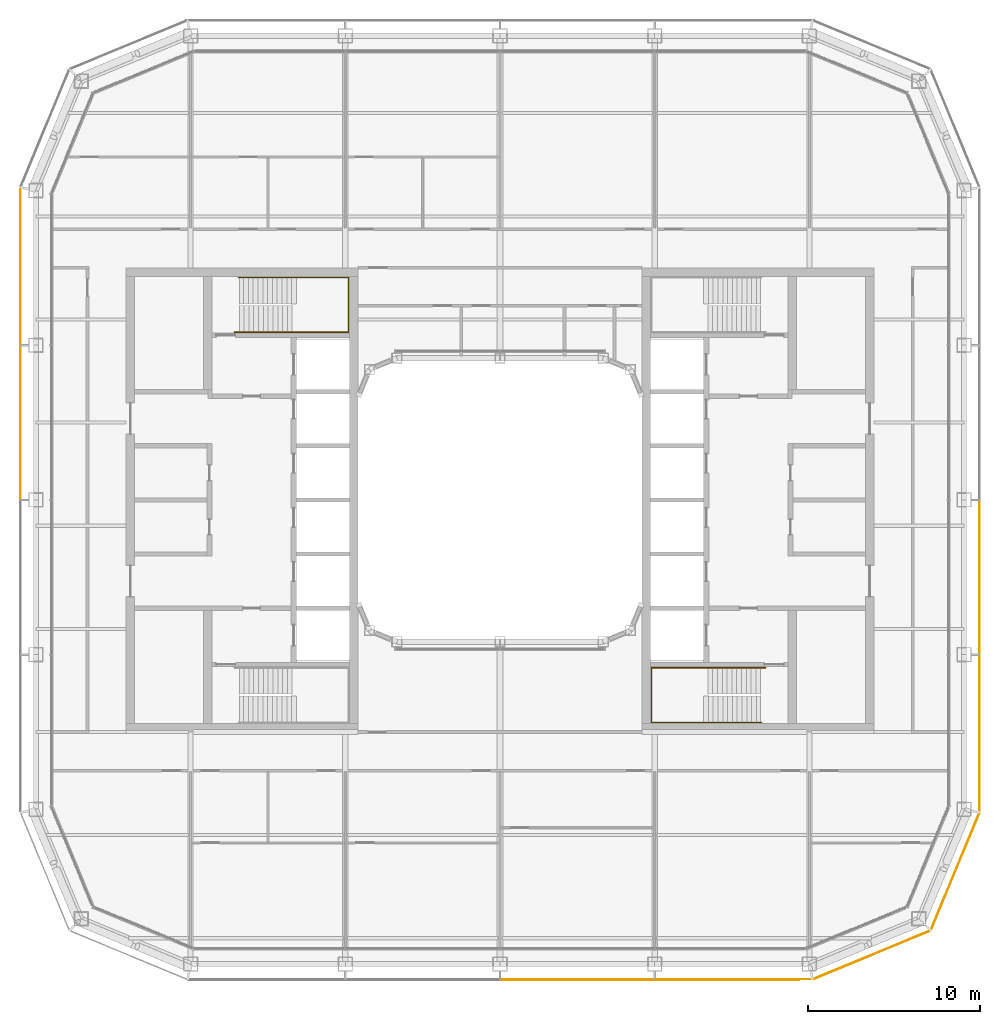
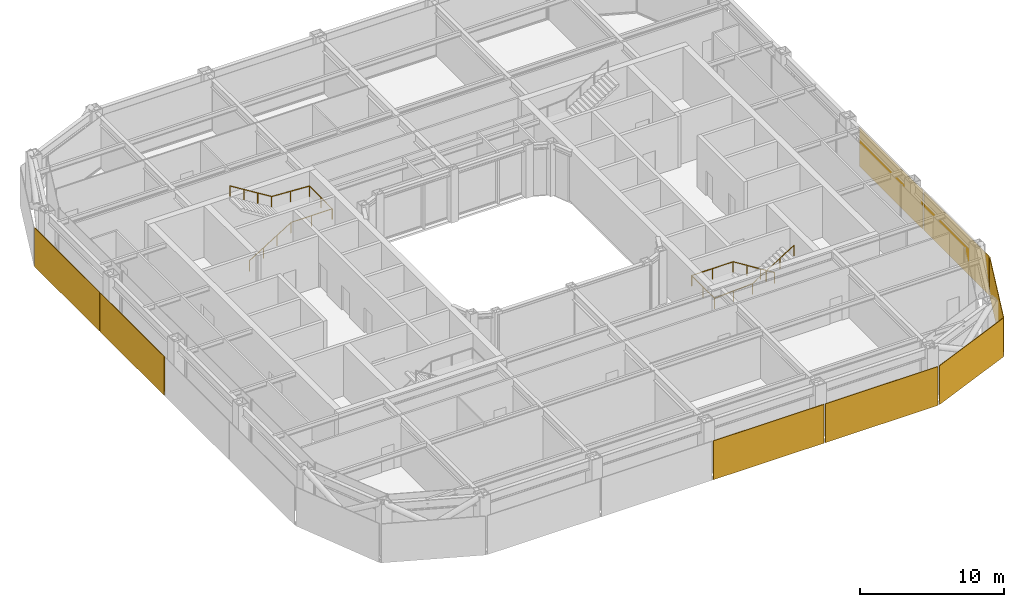
# One storey, part 17 of 19: 8 coverings, 2 railings.
"""IFC4 building model written with IfcOpenShell, lengths in metres."""

from ifc_helpers import new_model, si_unit, direction, frame, origin, origin_2d, place, context, subcontext, project, spatial, rectangle, circle, extrude, material, layer, layer_set, type_object, element, save


model = new_model("IFC4")

# Units and contexts
model_context = context("Model", 3, precision=1e-05, world=origin(), true_north=direction((0.0, 1.0)))
body_context = subcontext(model_context, "Body", "Model", "MODEL_VIEW")
ifc_project = project(units=[si_unit("LENGTHUNIT", "METRE"), si_unit("AREAUNIT", "SQUARE_METRE"), si_unit("VOLUMEUNIT", "CUBIC_METRE"), si_unit("PLANEANGLEUNIT", "RADIAN"), si_unit("MASSUNIT", "GRAM", prefix="KILO")], contexts=[model_context])

# Site, building, storey
site_placement = place(None, origin())
site = spatial("IfcSite", under=ifc_project, at=site_placement, CompositionType="ELEMENT")
building_placement = place(site_placement, origin())
building = spatial("IfcBuilding", under=site, at=building_placement, Name="Siwar Civic Tower", CompositionType="ELEMENT")
storey_placement = place(building_placement, frame((0.0, 0.0, 228.699951171875)))
storey = spatial("IfcBuildingStorey", under=building, at=storey_placement, Name="L49", CompositionType="ELEMENT", Elevation=228.699951171875)

# Railings
ifc_material_1 = material(Name="Stainless steel", Category="steel")
railing_type = type_object("IfcRailingType", Name="CORE-STAIR-HANDRAIL", PredefinedType="HANDRAIL", material=ifc_material_1)
railing_1_placement = place(storey_placement, frame((-15.449951171875, 9.758056640625, 0.173095703125)))
element("IfcRailing", 1, at=railing_1_placement, inside=storey, type_object=railing_type, Name="Stair handrail ST1", PredefinedType="HANDRAIL", context=body_context, shape_type="SweptSolid", body=[
    extrude(circle(Radius=0.02001953125, at=origin_2d()), frame((0.0, 0.0, 0.8798828125), z_axis=(0.847063342986, 0.0, 0.531491950051), x_axis=(0.0, 1.0, 0.0)), (0.0, 0.0, 1.0), 3.90771484375),
    extrude(circle(Radius=0.02001953125, at=origin_2d()), frame((3.31005859375, 0.0, 2.956787109375), z_axis=(1.0, 0.0, 0.0), x_axis=(0.0, 1.0, 0.0)), (0.0, 0.0, 1.0), 3.331787109375),
    extrude(circle(Radius=0.02001953125, at=origin_2d()), frame((6.641845703125, 0.0, 2.956787109375), z_axis=(0.0, 1.0, 0.0), x_axis=(-1.0, 0.0, 0.0)), (0.0, 0.0, 1.0), 3.183837890625),
    extrude(circle(Radius=0.02001953125, at=origin_2d()), frame((6.641845703125, 3.183837890625, 2.956787109375), z_axis=(-0.99837434197, 0.0, 0.056997134106), x_axis=(0.0, -1.0, 0.0)), (0.0, 0.0, 1.0), 3.036865234375),
    extrude(circle(Radius=0.02001953125, at=origin_2d()), frame((3.60986328125, 3.183837890625, 3.1298828125), z_axis=(-0.850606129759, 0.0, 0.525803396734), x_axis=(0.0, -1.0, 0.0)), (0.0, 0.0, 1.0), 3.949951171875),
    extrude(circle(Radius=0.02001953125, at=origin_2d()), origin(), (0.0, 0.0, 1.0), 0.85986328125),
    extrude(circle(Radius=0.02001953125, at=origin_2d()), frame((1.103271484375, 0.0, 0.6923828125)), (0.0, 0.0, 1.0), 0.85986328125),
    extrude(circle(Radius=0.02001953125, at=origin_2d()), frame((2.206787109375, 0.0, 1.384521484375)), (0.0, 0.0, 1.0), 0.85986328125),
    extrude(circle(Radius=0.02001953125, at=origin_2d()), frame((3.31005859375, 0.0, 2.076904296875)), (0.0, 0.0, 1.0), 0.85986328125),
    extrude(circle(Radius=0.02001953125, at=origin_2d()), frame((4.97607421875, 0.0, 2.076904296875)), (0.0, 0.0, 1.0), 0.85986328125),
    extrude(circle(Radius=0.02001953125, at=origin_2d()), frame((6.641845703125, 0.0, 2.076904296875)), (0.0, 0.0, 1.0), 0.85986328125),
    extrude(circle(Radius=0.02001953125, at=origin_2d()), frame((6.641845703125, 1.591796875, 2.076904296875)), (0.0, 0.0, 1.0), 0.85986328125),
    extrude(circle(Radius=0.02001953125, at=origin_2d()), frame((6.641845703125, 3.183837890625, 2.076904296875)), (0.0, 0.0, 1.0), 0.85986328125),
    extrude(circle(Radius=0.02001953125, at=origin_2d()), frame((5.1259765625, 3.183837890625, 2.16357421875)), (0.0, 0.0, 1.0), 0.85986328125),
    extrude(circle(Radius=0.02001953125, at=origin_2d()), frame((3.60986328125, 3.183837890625, 2.25)), (0.0, 0.0, 1.0), 0.85986328125),
    extrude(circle(Radius=0.02001953125, at=origin_2d()), frame((2.489990234375, 3.183837890625, 2.9423828125)), (0.0, 0.0, 1.0), 0.85986328125),
    extrude(circle(Radius=0.02001953125, at=origin_2d()), frame((1.369873046875, 3.183837890625, 3.634521484375)), (0.0, 0.0, 1.0), 0.85986328125),
    extrude(circle(Radius=0.02001953125, at=origin_2d()), frame((0.25, 3.183837890625, 4.326904296875)), (0.0, 0.0, 1.0), 0.85986328125),
])
railing_2_placement = place(storey_placement, frame((15.449951171875, -9.758056640625, 0.173095703125)))
element("IfcRailing", 2, at=railing_2_placement, inside=storey, type_object=railing_type, Name="Stair handrail ST4", PredefinedType="HANDRAIL", context=body_context, shape_type="SweptSolid", body=[
    extrude(circle(Radius=0.02001953125, at=origin_2d()), frame((0.0, 0.0, 0.8798828125), z_axis=(-0.847063342986, 0.0, 0.531491950051), x_axis=(0.0, -1.0, 0.0)), (0.0, 0.0, 1.0), 3.90771484375),
    extrude(circle(Radius=0.02001953125, at=origin_2d()), frame((-3.31005859375, 0.0, 2.956787109375), z_axis=(-1.0, 0.0, 0.0), x_axis=(0.0, -1.0, 0.0)), (0.0, 0.0, 1.0), 3.331787109375),
    extrude(circle(Radius=0.02001953125, at=origin_2d()), frame((-6.641845703125, 0.0, 2.956787109375), z_axis=(0.0, -1.0, 0.0), x_axis=(1.0, 0.0, 0.0)), (0.0, 0.0, 1.0), 3.183837890625),
    extrude(circle(Radius=0.02001953125, at=origin_2d()), frame((-6.641845703125, -3.183837890625, 2.956787109375), z_axis=(0.99837434197, 0.0, 0.056997134106), x_axis=(0.0, 1.0, 0.0)), (0.0, 0.0, 1.0), 3.036865234375),
    extrude(circle(Radius=0.02001953125, at=origin_2d()), frame((-3.60986328125, -3.183837890625, 3.1298828125), z_axis=(0.850606129759, 0.0, 0.525803396734), x_axis=(0.0, 1.0, 0.0)), (0.0, 0.0, 1.0), 3.949951171875),
    extrude(circle(Radius=0.02001953125, at=origin_2d()), origin(), (0.0, 0.0, 1.0), 0.85986328125),
    extrude(circle(Radius=0.02001953125, at=origin_2d()), frame((-1.103271484375, 0.0, 0.6923828125)), (0.0, 0.0, 1.0), 0.85986328125),
    extrude(circle(Radius=0.02001953125, at=origin_2d()), frame((-2.206787109375, 0.0, 1.384521484375)), (0.0, 0.0, 1.0), 0.85986328125),
    extrude(circle(Radius=0.02001953125, at=origin_2d()), frame((-3.31005859375, 0.0, 2.076904296875)), (0.0, 0.0, 1.0), 0.85986328125),
    extrude(circle(Radius=0.02001953125, at=origin_2d()), frame((-4.97607421875, 0.0, 2.076904296875)), (0.0, 0.0, 1.0), 0.85986328125),
    extrude(circle(Radius=0.02001953125, at=origin_2d()), frame((-6.641845703125, 0.0, 2.076904296875)), (0.0, 0.0, 1.0), 0.85986328125),
    extrude(circle(Radius=0.02001953125, at=origin_2d()), frame((-6.641845703125, -1.591796875, 2.076904296875)), (0.0, 0.0, 1.0), 0.85986328125),
    extrude(circle(Radius=0.02001953125, at=origin_2d()), frame((-6.641845703125, -3.183837890625, 2.076904296875)), (0.0, 0.0, 1.0), 0.85986328125),
    extrude(circle(Radius=0.02001953125, at=origin_2d()), frame((-5.1259765625, -3.183837890625, 2.16357421875)), (0.0, 0.0, 1.0), 0.85986328125),
    extrude(circle(Radius=0.02001953125, at=origin_2d()), frame((-3.60986328125, -3.183837890625, 2.25)), (0.0, 0.0, 1.0), 0.85986328125),
    extrude(circle(Radius=0.02001953125, at=origin_2d()), frame((-2.489990234375, -3.183837890625, 2.9423828125)), (0.0, 0.0, 1.0), 0.85986328125),
    extrude(circle(Radius=0.02001953125, at=origin_2d()), frame((-1.369873046875, -3.183837890625, 3.634521484375)), (0.0, 0.0, 1.0), 0.85986328125),
    extrude(circle(Radius=0.02001953125, at=origin_2d()), frame((-0.25, -3.183837890625, 4.326904296875)), (0.0, 0.0, 1.0), 0.85986328125),
])

# Coverings
ifc_material_2 = material(Name="Perforated aluminium cassette, pale metal", Category="aluminium")
ifc_layer_1 = layer(ifc_material_2, 0.0400390625)
ifc_layer_set_1 = layer_set([ifc_layer_1], Name="Perforated aluminium cassette, pale metal")
covering_type_1 = type_object("IfcCoveringType", Name="ENV-OUTER SKIN OS-1", PredefinedType="CLADDING", material=ifc_layer_set_1)
covering_1_placement = place(storey_placement, frame((27.89990234375, -13.57958984375, -0.14990234375), z_axis=(0.0, 0.0, 1.0), x_axis=(0.0, 1.0, 0.0)))
element("IfcCovering", 3, at=covering_1_placement, inside=storey, type_object=covering_type_1, Name="OUTER SKIN OS-1 E 1", PredefinedType="CLADDING", context=body_context, shape_type="SweptSolid", body=[
    extrude(rectangle(XDim=9.05908203125, YDim=0.0400390625, at=origin_2d()), origin(), (0.0, 0.0, 1.0), 3.300048828125),
])
covering_2_placement = place(storey_placement, frame((27.89990234375, -4.5, -0.14990234375), z_axis=(0.0, 0.0, 1.0), x_axis=(0.0, 1.0, 0.0)))
element("IfcCovering", 4, at=covering_2_placement, inside=storey, type_object=covering_type_1, Name="OUTER SKIN OS-1 E 2", PredefinedType="CLADDING", context=body_context, shape_type="SweptSolid", body=[
    extrude(rectangle(XDim=8.89990234375, YDim=0.0400390625, at=origin_2d()), origin(), (0.0, 0.0, 1.0), 3.300048828125),
])
ifc_material_3 = material(Name="Perforated aluminium cassette, pale metal", Category="aluminium")
ifc_layer_2 = layer(ifc_material_3, 0.044921875)
ifc_layer_set_2 = layer_set([ifc_layer_2], Name="Perforated aluminium cassette, pale metal")
covering_type_2 = type_object("IfcCoveringType", Name="ENV-OUTER SKIN OS-2", PredefinedType="CLADDING", material=ifc_layer_set_2)
covering_3_placement = place(storey_placement, frame((26.476318359375, -21.615966796875, -0.14990234375), z_axis=(0.0, 0.0, 1.0), x_axis=(0.382683432365, 0.923879532511, 0.0)))
element("IfcCovering", 5, at=covering_3_placement, inside=storey, type_object=covering_type_2, Name="OUTER SKIN OS-2 SE2 1", PredefinedType="CLADDING", context=body_context, shape_type="SweptSolid", body=[
    extrude(rectangle(XDim=7.300048828125, YDim=0.044921875, at=origin_2d()), origin(), (0.0, 0.0, 1.0), 3.300048828125),
])
ifc_material_4 = material(Name="Perforated aluminium cassette, pale metal", Category="aluminium")
ifc_layer_3 = layer(ifc_material_4, 0.050048828125)
ifc_layer_set_3 = layer_set([ifc_layer_3], Name="Perforated aluminium cassette, pale metal")
covering_type_3 = type_object("IfcCoveringType", Name="ENV-OUTER SKIN OS-3", PredefinedType="CLADDING", material=ifc_layer_set_3)
covering_4_placement = place(storey_placement, frame((21.615966796875, -26.476318359375, -0.14990234375), z_axis=(0.0, 0.0, 1.0), x_axis=(0.923879532511, 0.382683432365, 0.0)))
element("IfcCovering", 6, at=covering_4_placement, inside=storey, type_object=covering_type_3, Name="OUTER SKIN OS-3 SE1 1", PredefinedType="CLADDING", context=body_context, shape_type="SweptSolid", body=[
    extrude(rectangle(XDim=7.300048828125, YDim=0.050048828125, at=origin_2d()), origin(), (0.0, 0.0, 1.0), 3.300048828125),
])
covering_5_placement = place(storey_placement, frame((-27.89990234375, 13.57958984375, -0.14990234375), z_axis=(0.0, 0.0, 1.0), x_axis=(0.0, -1.0, 0.0)))
element("IfcCovering", 7, at=covering_5_placement, inside=storey, type_object=covering_type_3, Name="OUTER SKIN OS-3 W 1", PredefinedType="CLADDING", context=body_context, shape_type="SweptSolid", body=[
    extrude(rectangle(XDim=9.05908203125, YDim=0.050048828125, at=origin_2d()), origin(), (0.0, 0.0, 1.0), 3.300048828125),
])
covering_6_placement = place(storey_placement, frame((-27.89990234375, 4.5, -0.14990234375), z_axis=(0.0, 0.0, 1.0), x_axis=(0.0, -1.0, 0.0)))
element("IfcCovering", 8, at=covering_6_placement, inside=storey, type_object=covering_type_3, Name="OUTER SKIN OS-3 W 2", PredefinedType="CLADDING", context=body_context, shape_type="SweptSolid", body=[
    extrude(rectangle(XDim=8.89990234375, YDim=0.050048828125, at=origin_2d()), origin(), (0.0, 0.0, 1.0), 3.300048828125),
])
ifc_material_5 = material(Name="Perforated aluminium cassette, pale metal", Category="aluminium")
ifc_layer_4 = layer(ifc_material_5, 0.054931640625)
ifc_layer_set_4 = layer_set([ifc_layer_4], Name="Perforated aluminium cassette, pale metal")
covering_type_4 = type_object("IfcCoveringType", Name="ENV-OUTER SKIN OS-4", PredefinedType="CLADDING", material=ifc_layer_set_4)
covering_7_placement = place(storey_placement, frame((4.5, -27.89990234375, -0.14990234375), z_axis=(0.0, 0.0, 1.0), x_axis=(1.0, 0.0, 0.0)))
element("IfcCovering", 9, at=covering_7_placement, inside=storey, type_object=covering_type_4, Name="OUTER SKIN OS-4 S 3", PredefinedType="CLADDING", context=body_context, shape_type="SweptSolid", body=[
    extrude(rectangle(XDim=8.89990234375, YDim=0.054931640625, at=origin_2d()), origin(), (0.0, 0.0, 1.0), 3.300048828125),
])
covering_8_placement = place(storey_placement, frame((13.57958984375, -27.89990234375, -0.14990234375), z_axis=(0.0, 0.0, 1.0), x_axis=(1.0, 0.0, 0.0)))
element("IfcCovering", 10, at=covering_8_placement, inside=storey, type_object=covering_type_4, Name="OUTER SKIN OS-4 S 4", PredefinedType="CLADDING", context=body_context, shape_type="SweptSolid", body=[
    extrude(rectangle(XDim=9.05908203125, YDim=0.054931640625, at=origin_2d()), origin(), (0.0, 0.0, 1.0), 3.300048828125),
])

save(model, "model.ifc")
